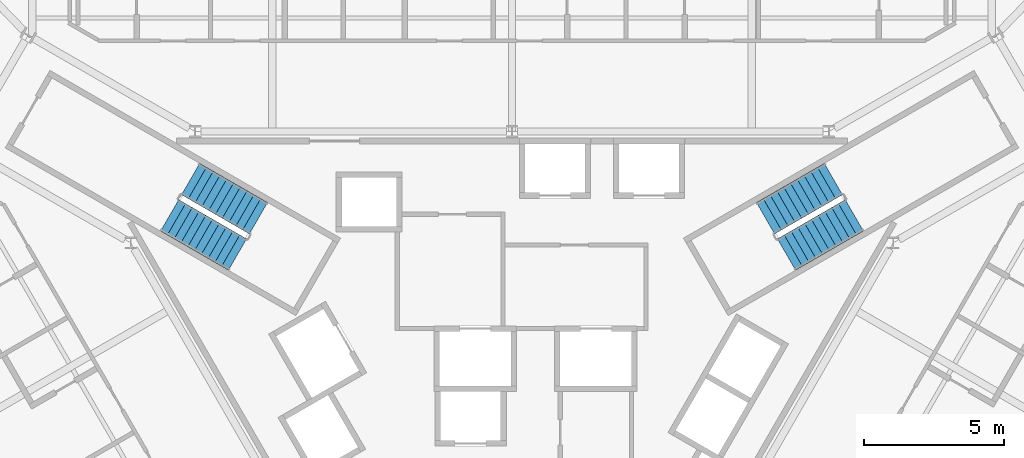
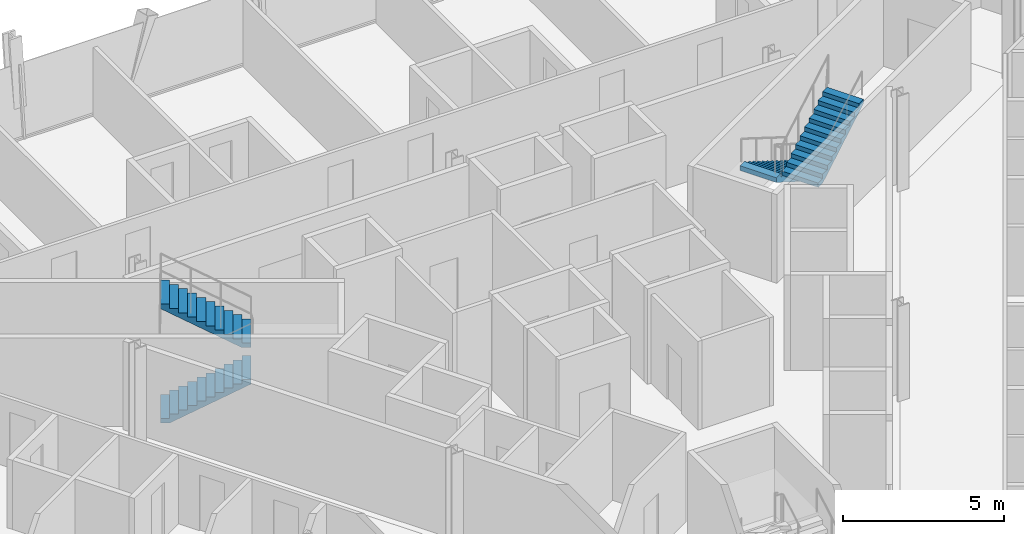
# One storey, part 13 of 15: 4 stair flights, 2 elements without a shape of their own.
"""IFC4 building model written with IfcOpenShell, lengths in metres."""

from ifc_helpers import new_model, si_unit, direction, frame, origin, place, context, subcontext, project, spatial, polyline, outline, extrude, material, type_object, element, aggregate, save


model = new_model("IFC4")

# Units and contexts
model_context = context("Model", 3, precision=1e-05, world=origin(), true_north=direction((0.0, 1.0)))
body_context = subcontext(model_context, "Body", "Model", "MODEL_VIEW")
ifc_project = project(units=[si_unit("LENGTHUNIT", "METRE"), si_unit("AREAUNIT", "SQUARE_METRE"), si_unit("VOLUMEUNIT", "CUBIC_METRE"), si_unit("PLANEANGLEUNIT", "RADIAN"), si_unit("MASSUNIT", "GRAM", prefix="KILO")], contexts=[model_context])

# Site, building, storey
site_placement = place(None, origin())
site = spatial("IfcSite", under=ifc_project, at=site_placement, CompositionType="ELEMENT")
building_placement = place(site_placement, origin())
building = spatial("IfcBuilding", under=site, at=building_placement, Name="Verrane Prism Tower", CompositionType="ELEMENT")
storey_placement = place(building_placement, frame((0.0, 0.0, 72.800048828125)))
storey = spatial("IfcBuildingStorey", under=building, at=storey_placement, Name="L16", CompositionType="ELEMENT", Elevation=72.800048828125)

# Stair, stair flights
ifc_material_1 = material(Name="Concrete C40/50", Category="concrete")
stair_type = type_object("IfcStairType", Name="Exit stair 1300 dog-leg precast concrete C40/50", PredefinedType="HALF_TURN_STAIR", material=ifc_material_1)
stair_1_placement = place(storey_placement, origin())
stair_1 = element("IfcStair", 1, at=stair_1_placement, inside=storey, type_object=stair_type, Name="Stair 1 L16", PredefinedType="HALF_TURN_STAIR")
ifc_material_2 = material(Name="Concrete C40/50", Category="concrete")
stair_flight_type = type_object("IfcStairFlightType", Name="Stair flight 1300 precast concrete C40/50", PredefinedType="STRAIGHT", material=ifc_material_2)
stair_flight_1_placement = place(storey_placement, frame((11.489501953125, 7.49951171875, 0.0), z_axis=(0.0, 0.0, 1.0), x_axis=(-0.866025403784, -0.5, 0.0)))
stair_flight_1 = element("IfcStairFlight", 2, at=stair_flight_1_placement, type_object=stair_flight_type, Name="Stair 1 flight 1", NumberOfRisers=11, NumberOfTreads=10, PredefinedType="STRAIGHT", RiserHeight=0.163636364, TreadLength=0.28, context=body_context, shape_type="SweptSolid", body=[
    extrude(outline(polyline([(0.0, 0.0), (0.0, 0.16357421875), (0.280029296875, 0.16357421875), (0.280029296875, 0.327392578125), (0.56005859375, 0.327392578125), (0.56005859375, 0.490966796875), (0.840087890625, 0.490966796875), (0.840087890625, 0.654541015625), (1.1201171875, 0.654541015625), (1.1201171875, 0.818115234375), (1.39990234375, 0.818115234375), (1.39990234375, 0.98193359375), (1.679931640625, 0.98193359375), (1.679931640625, 1.1455078125), (1.9599609375, 1.1455078125), (1.9599609375, 1.30908203125), (2.239990234375, 1.30908203125), (2.239990234375, 1.47265625), (2.52001953125, 1.47265625), (2.52001953125, 1.636474609375), (2.800048828125, 1.636474609375), (2.800048828125, 1.800048828125), (2.800048828125, 1.462646484375), (0.297119140625, 0.0), (0.0, 0.0)])), frame((0.0, 0.64990234375, 0.0), z_axis=(0.0, -1.0, 0.0), x_axis=(1.0, 0.0, 0.0)), (0.0, 0.0, 1.0), 1.300048828125),
])
stair_flight_2_placement = place(storey_placement, frame((9.814697265625, 4.800537109375, 1.800048828125), z_axis=(0.0, 0.0, 1.0), x_axis=(0.866025403784, 0.5, 0.0)))
stair_flight_2 = element("IfcStairFlight", 3, at=stair_flight_2_placement, type_object=stair_flight_type, Name="Stair 1 flight 2", NumberOfRisers=11, NumberOfTreads=10, PredefinedType="STRAIGHT", RiserHeight=0.163636364, TreadLength=0.28, context=body_context, shape_type="SweptSolid", body=[
    extrude(outline(polyline([(0.0, 0.0), (0.0, 0.16357421875), (0.280029296875, 0.16357421875), (0.280029296875, 0.327392578125), (0.56005859375, 0.327392578125), (0.56005859375, 0.490966796875), (0.840087890625, 0.490966796875), (0.840087890625, 0.654541015625), (1.1201171875, 0.654541015625), (1.1201171875, 0.818115234375), (1.39990234375, 0.818115234375), (1.39990234375, 0.98193359375), (1.679931640625, 0.98193359375), (1.679931640625, 1.1455078125), (1.9599609375, 1.1455078125), (1.9599609375, 1.30908203125), (2.239990234375, 1.30908203125), (2.239990234375, 1.47265625), (2.52001953125, 1.47265625), (2.52001953125, 1.636474609375), (2.800048828125, 1.636474609375), (2.800048828125, 1.800048828125), (2.800048828125, 1.462646484375), (0.297119140625, 0.0), (0.0, 0.0)])), frame((0.0, 0.64990234375, 0.0), z_axis=(0.0, -1.0, 0.0), x_axis=(1.0, 0.0, 0.0)), (0.0, 0.0, 1.0), 1.300048828125),
])
aggregate(stair_1, [stair_flight_1, stair_flight_2])

stair_2_placement = place(storey_placement, origin())
stair_2 = element("IfcStair", 4, at=stair_2_placement, inside=storey, type_object=stair_type, Name="Stair 2 L16", PredefinedType="HALF_TURN_STAIR")
stair_flight_3_placement = place(storey_placement, frame((-12.239501953125, 6.200439453125, 0.0), z_axis=(0.0, 0.0, 1.0), x_axis=(0.866025403784, -0.5, 0.0)))
stair_flight_3 = element("IfcStairFlight", 5, at=stair_flight_3_placement, type_object=stair_flight_type, Name="Stair 2 flight 1", NumberOfRisers=11, NumberOfTreads=10, PredefinedType="STRAIGHT", RiserHeight=0.163636364, TreadLength=0.28, context=body_context, shape_type="SweptSolid", body=[
    extrude(outline(polyline([(0.0, 0.0), (0.0, 0.16357421875), (0.280029296875, 0.16357421875), (0.280029296875, 0.327392578125), (0.56005859375, 0.327392578125), (0.56005859375, 0.490966796875), (0.840087890625, 0.490966796875), (0.840087890625, 0.654541015625), (1.1201171875, 0.654541015625), (1.1201171875, 0.818115234375), (1.39990234375, 0.818115234375), (1.39990234375, 0.98193359375), (1.679931640625, 0.98193359375), (1.679931640625, 1.1455078125), (1.9599609375, 1.1455078125), (1.9599609375, 1.30908203125), (2.239990234375, 1.30908203125), (2.239990234375, 1.47265625), (2.52001953125, 1.47265625), (2.52001953125, 1.636474609375), (2.800048828125, 1.636474609375), (2.800048828125, 1.800048828125), (2.800048828125, 1.462646484375), (0.297119140625, 0.0), (0.0, 0.0)])), frame((0.0, 0.64990234375, 0.0), z_axis=(0.0, -1.0, 0.0), x_axis=(1.0, 0.0, 0.0)), (0.0, 0.0, 1.0), 1.300048828125),
])
stair_flight_4_placement = place(storey_placement, frame((-9.064697265625, 6.099609375, 1.800048828125), z_axis=(0.0, 0.0, 1.0), x_axis=(-0.866025403784, 0.5, 0.0)))
stair_flight_4 = element("IfcStairFlight", 6, at=stair_flight_4_placement, type_object=stair_flight_type, Name="Stair 2 flight 2", NumberOfRisers=11, NumberOfTreads=10, PredefinedType="STRAIGHT", RiserHeight=0.163636364, TreadLength=0.28, context=body_context, shape_type="SweptSolid", body=[
    extrude(outline(polyline([(0.0, 0.0), (0.0, 0.16357421875), (0.280029296875, 0.16357421875), (0.280029296875, 0.327392578125), (0.56005859375, 0.327392578125), (0.56005859375, 0.490966796875), (0.840087890625, 0.490966796875), (0.840087890625, 0.654541015625), (1.1201171875, 0.654541015625), (1.1201171875, 0.818115234375), (1.39990234375, 0.818115234375), (1.39990234375, 0.98193359375), (1.679931640625, 0.98193359375), (1.679931640625, 1.1455078125), (1.9599609375, 1.1455078125), (1.9599609375, 1.30908203125), (2.239990234375, 1.30908203125), (2.239990234375, 1.47265625), (2.52001953125, 1.47265625), (2.52001953125, 1.636474609375), (2.800048828125, 1.636474609375), (2.800048828125, 1.800048828125), (2.800048828125, 1.462646484375), (0.297119140625, 0.0), (0.0, 0.0)])), frame((0.0, 0.64990234375, 0.0), z_axis=(0.0, -1.0, 0.0), x_axis=(1.0, 0.0, 0.0)), (0.0, 0.0, 1.0), 1.300048828125),
])
aggregate(stair_2, [stair_flight_3, stair_flight_4])

save(model, "model.ifc")
